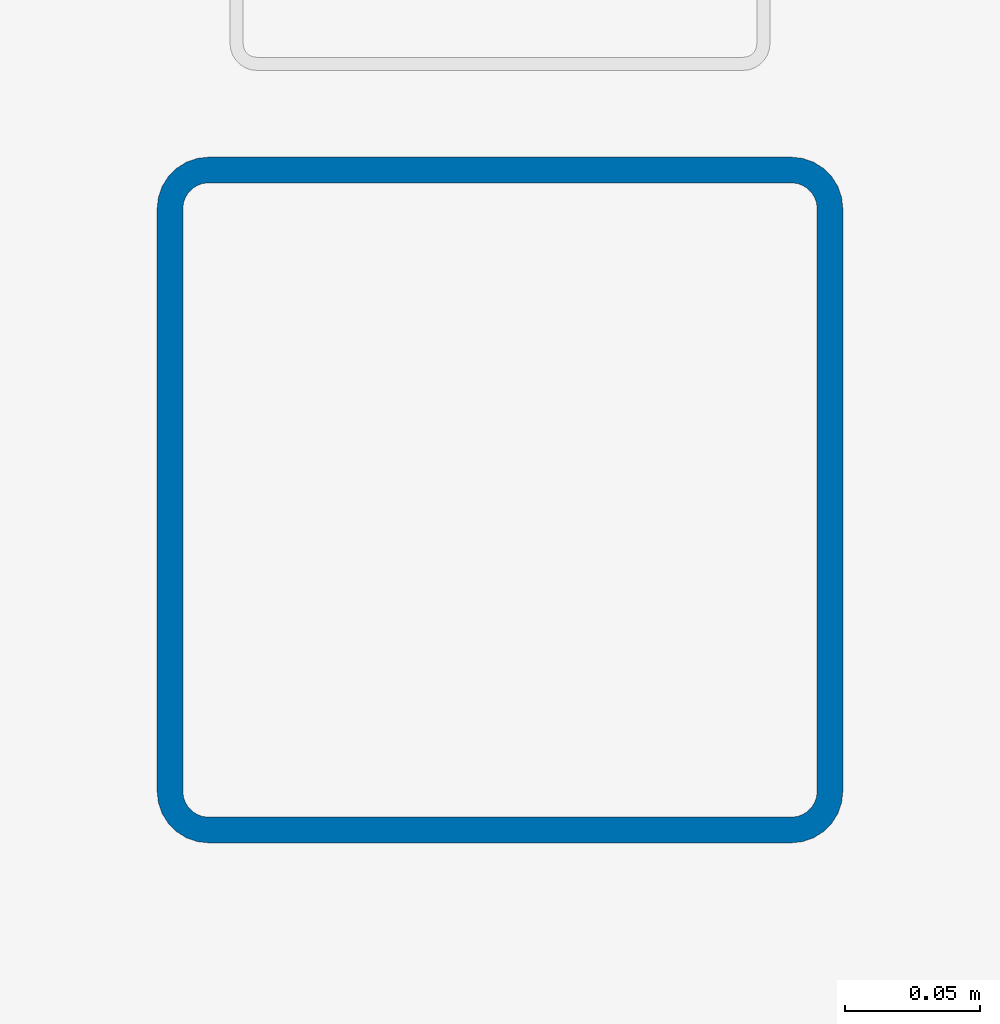
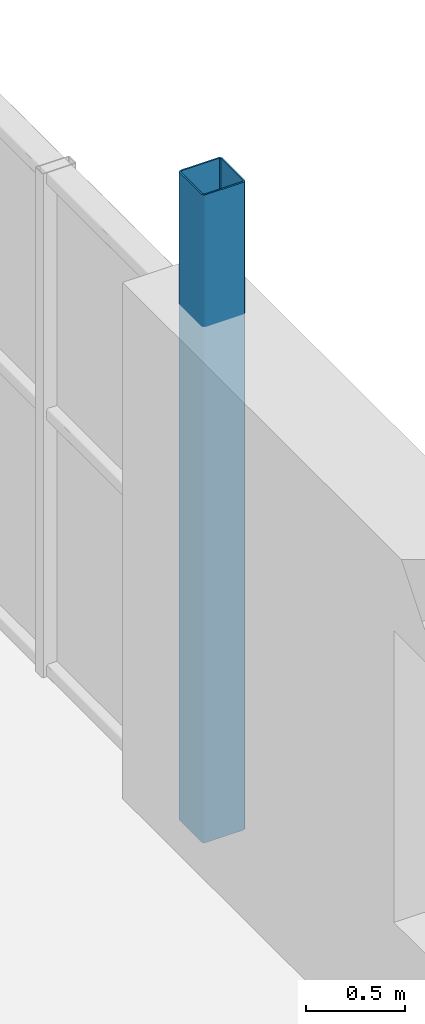
# One storey, part 4 of 96: 1 column.
"""IFC4 building model written with IfcOpenShell, lengths in metres."""

from ifc_helpers import new_model, si_unit, direction, frame, origin, origin_2d, place, context, subcontext, project, spatial, hollow_rectangle, extrude, material, material_profile, profile_set, type_object, element, save


model = new_model("IFC4")

# Units and contexts
model_context = context("Model", 3, precision=1e-05, world=origin(), true_north=direction((0.0, 1.0)))
body_context = subcontext(model_context, "Body", "Model", "MODEL_VIEW")
ifc_project = project(units=[si_unit("LENGTHUNIT", "METRE"), si_unit("AREAUNIT", "SQUARE_METRE"), si_unit("VOLUMEUNIT", "CUBIC_METRE"), si_unit("PLANEANGLEUNIT", "RADIAN"), si_unit("MASSUNIT", "GRAM", prefix="KILO")], contexts=[model_context])

# Site, building, storey
site_placement = place(None, origin())
site = spatial("IfcSite", under=ifc_project, at=site_placement, CompositionType="ELEMENT")
building_placement = place(site_placement, origin())
building = spatial("IfcBuilding", under=site, at=building_placement, Name="Verrall Gate Interchange", CompositionType="ELEMENT")
storey_placement = place(building_placement, frame((0.0, 0.0, 11.39990234375)))
storey = spatial("IfcBuildingStorey", under=building, at=storey_placement, Name="L03", CompositionType="ELEMENT", Elevation=11.39990234375)

# Column
ifc_material = material(Name="Structural Steel CSA G40.21 350WT Cat 4", Category="steel")
ifc_material_profile = material_profile(ifc_material, hollow_rectangle(XDim=0.25390625, YDim=0.25390625, WallThickness=0.009521484375, InnerFilletRadius=0.009521484375, OuterFilletRadius=0.01904296875, at=origin_2d()), Name="HSS254x254x9.5")
ifc_profile_set = profile_set([ifc_material_profile], Name="Structural Steel CSA G40.21 350WT Cat 4")
column_type = type_object("IfcColumnType", Name="C-13 Column HSS254x254x9.5", PredefinedType="COLUMN", material=ifc_profile_set)
column_placement = place(storey_placement, frame((36.0, 28.0, 0.0), z_axis=(0.0, 0.0, 1.0), x_axis=(1.0, 0.0, 0.0)))
element("IfcColumn", 1, at=column_placement, inside=storey, type_object=column_type, Name="L03 Column COL-L03-0758 (C-13)", PredefinedType="COLUMN", context=body_context, shape_type="SweptSolid", body=[
    extrude(hollow_rectangle(XDim=0.25390625, YDim=0.25390625, WallThickness=0.009521484375, InnerFilletRadius=0.009521484375, OuterFilletRadius=0.01904296875, at=origin_2d()), origin(), (0.0, 0.0, 1.0), 4.0),
])

save(model, "model.ifc")
